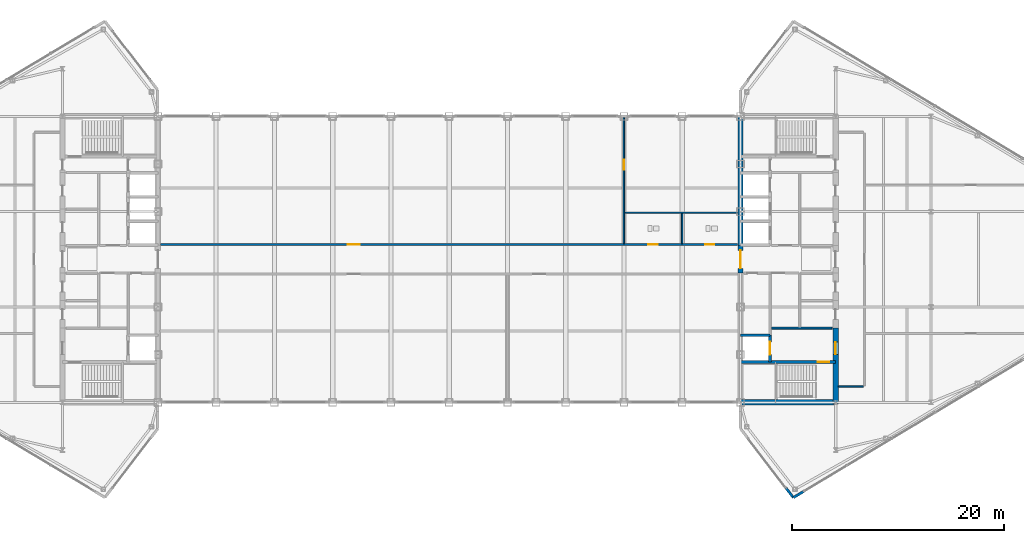
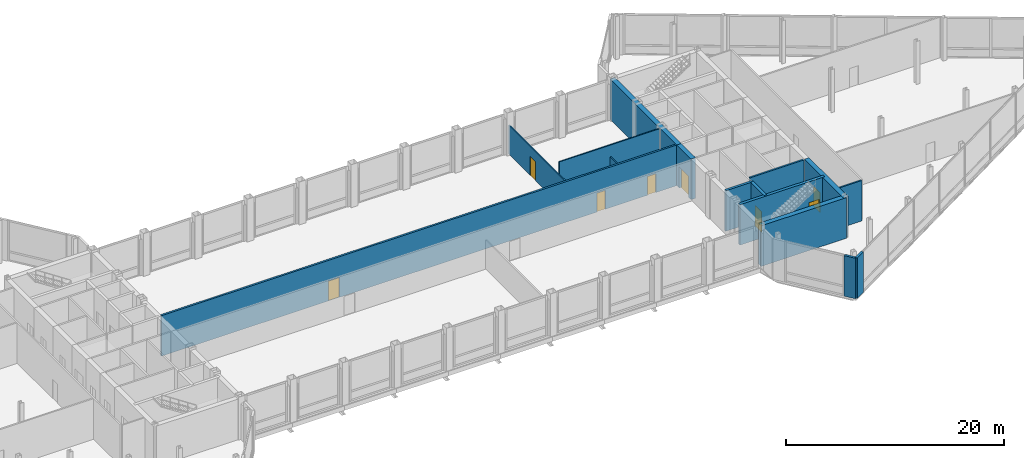
# One storey, part 24 of 29: 15 walls, 8 doors, 8 openings.
"""IFC4 building model written with IfcOpenShell, lengths in metres."""

from ifc_helpers import new_model, si_unit, direction, frame, frame_2d, origin, place, context, subcontext, project, spatial, rectangle, extrude, source, transform, mapped, material, layer, layer_set, type_object, type_shapes, element, fill, save


model = new_model("IFC4")

# Units and contexts
model_context = context("Model", 3, precision=1e-05, world=origin(), true_north=direction((0.0, 1.0)))
body_context = subcontext(model_context, "Body", "Model", "MODEL_VIEW")
ifc_project = project(units=[si_unit("LENGTHUNIT", "METRE"), si_unit("AREAUNIT", "SQUARE_METRE"), si_unit("VOLUMEUNIT", "CUBIC_METRE"), si_unit("PLANEANGLEUNIT", "RADIAN"), si_unit("MASSUNIT", "GRAM", prefix="KILO")], contexts=[model_context])

# Site, building, storey
site_placement = place(None, origin())
site = spatial("IfcSite", under=ifc_project, at=site_placement, CompositionType="ELEMENT")
building_placement = place(site_placement, origin())
building = spatial("IfcBuilding", under=site, at=building_placement, Name="Seokmaru Belvedere", CompositionType="ELEMENT")
storey_placement = place(building_placement, frame((0.0, 0.0, 269.39990234375)))
storey = spatial("IfcBuildingStorey", under=building, at=storey_placement, Name="L71", CompositionType="ELEMENT", Elevation=269.39990234375)

# Walls
ifc_material_1 = material(Name="Fire-Rated Gypsum Shaftwall")
ifc_layer_1 = layer(ifc_material_1, 0.14990234375)
ifc_layer_set_1 = layer_set([ifc_layer_1], Name="Fire-Rated Gypsum Shaftwall")
wall_type_1 = type_object("IfcWallType", Name="Apartment Fire-Acoustic Room Partition 150", PredefinedType="PARTITIONING", material=ifc_layer_set_1)
wall_1_placement = place(storey_placement, frame((36.7548828125, -12.0, 0.0), z_axis=(0.0, 0.0, 1.0), x_axis=(1.0, 0.0, 0.0)))
element("IfcWall", 1, at=wall_1_placement, inside=storey, type_object=wall_type_1, Name="L71 Interior Partition 002", PredefinedType="PARTITIONING", context=body_context, shape_type="SweptSolid", body=[
    extrude(rectangle(XDim=2.360107421875, YDim=0.14990234375, at=frame_2d((1.18017578125, 0.0))), origin(), (0.0, 0.0, 1.0), 4.5400390625),
])
ifc_layer_2 = layer(ifc_material_1, 0.179931640625)
ifc_layer_set_2 = layer_set([ifc_layer_2], Name="Fire-Rated Gypsum Shaftwall")
wall_type_2 = type_object("IfcWallType", Name="Core Service Fire Partition 180", PredefinedType="PARTITIONING", material=ifc_layer_set_2)
wall_2_placement = place(storey_placement, frame((30.449951171875, -6.5, 0.0), z_axis=(0.0, 0.0, 1.0), x_axis=(1.0, 0.0, 0.0)))
element("IfcWall", 2, at=wall_2_placement, inside=storey, type_object=wall_type_2, Name="L71 East Firefighting Lobby Partition", PredefinedType="PARTITIONING", context=body_context, shape_type="SweptSolid", body=[
    extrude(rectangle(XDim=5.699951171875, YDim=0.179931640625, at=frame_2d((2.85009765625, 0.0))), origin(), (0.0, 0.0, 1.0), 4.5400390625),
])
ifc_material_2 = material(Name="Concrete C50 (50 MPa)", Category="concrete")
ifc_layer_3 = layer(ifc_material_2, 0.25)
ifc_layer_set_3 = layer_set([ifc_layer_3], Name="Concrete C50 (50 MPa)")
wall_type_3 = type_object("IfcWallType", Name="Hoistway Transverse Concrete Divider Wall 250", PredefinedType="SHEAR", material=ifc_layer_set_3)
wall_3_placement = place(storey_placement, frame((27.5, -7.14990234375, 0.0), z_axis=(0.0, 0.0, 1.0), x_axis=(1.0, 0.0, 0.0)))
element("IfcWall", 3, at=wall_3_placement, inside=storey, type_object=wall_type_3, Name="L71 East Hoistway Divider Core Wall 1", PredefinedType="SHEAR", context=body_context, shape_type="SweptSolid", body=[
    extrude(rectangle(XDim=2.800048828125, YDim=0.25, at=frame_2d((1.39990234375, 0.0))), origin(), (0.0, 0.0, 1.0), 4.5400390625),
])

# Wall, openings, doors
ifc_layer_4 = layer(ifc_material_1, 0.199951171875)
ifc_layer_set_4 = layer_set([ifc_layer_4], Name="Fire-Rated Gypsum Shaftwall")
wall_type_4 = type_object("IfcWallType", Name="Inter-Tenancy Fire Compartment Partition 200", PredefinedType="PARTITIONING", material=ifc_layer_set_4)
wall_4_placement = place(storey_placement, frame((-27.2451171875, 1.39990234375, 0.0), z_axis=(0.0, 0.0, 1.0), x_axis=(1.0, 0.0, 0.0)))
wall_4 = element("IfcWall", 4, at=wall_4_placement, inside=storey, type_object=wall_type_4, Name="L71 Interior Partition 006", PredefinedType="PARTITIONING", context=body_context, shape_type="SweptSolid", body=[
    extrude(rectangle(XDim=54.490234375, YDim=0.199951171875, at=frame_2d((27.2451171875, 0.0))), origin(), (0.0, 0.0, 1.0), 4.5400390625),
])
opening_1_placement = place(wall_4_placement, frame((17.669921875, 0.0, 0.0)))
opening_1 = element("IfcOpeningElement", 5, at=opening_1_placement, cuts=wall_4, Name="Opening D02", PredefinedType="OPENING", context=body_context, shape_type="SweptSolid", body=[
    extrude(rectangle(XDim=1.14990234375, YDim=2.199951171875, at=frame_2d((0.574951171875, 1.10009765625))), frame((0.0, 0.10986328125, 0.0), z_axis=(0.0, -1.0, 0.0), x_axis=(1.0, 0.0, 0.0)), (0.0, 0.0, 1.0), 0.219970703125),
])
opening_2_placement = place(wall_4_placement, frame((46.054931640625, 0.0, 0.0)))
opening_2 = element("IfcOpeningElement", 6, at=opening_2_placement, cuts=wall_4, Name="Opening D06", PredefinedType="OPENING", context=body_context, shape_type="SweptSolid", body=[
    extrude(rectangle(XDim=0.8798828125, YDim=2.10009765625, at=frame_2d((0.43994140625, 1.050048828125))), frame((0.0, 0.10986328125, 0.0), z_axis=(0.0, -1.0, 0.0), x_axis=(1.0, 0.0, 0.0)), (0.0, 0.0, 1.0), 0.219970703125),
])
opening_3_placement = place(wall_4_placement, frame((51.405029296875, 0.0, 0.0)))
opening_3 = element("IfcOpeningElement", 7, at=opening_3_placement, cuts=wall_4, Name="Opening D06", PredefinedType="OPENING", context=body_context, shape_type="SweptSolid", body=[
    extrude(rectangle(XDim=0.8798828125, YDim=2.10009765625, at=frame_2d((0.43994140625, 1.050048828125))), frame((0.0, 0.10986328125, 0.0), z_axis=(0.0, -1.0, 0.0), x_axis=(1.0, 0.0, 0.0)), (0.0, 0.0, 1.0), 0.219970703125),
])
ifc_material_3 = material(Name="Fire-Rated Steel Leaf", Category="steel")
door_type_1 = type_object("IfcDoorType", Name="Lobby and Vestibule Fire Door 1150x2200", OperationType="NOTDEFINED", PredefinedType="DOOR", material=ifc_material_3)
shared_shape_1 = source(origin(), body_context, "Body", "SweptSolid", [
    extrude(rectangle(XDim=1.14990234375, YDim=2.199951171875, at=frame_2d((0.574951171875, 1.10009765625))), frame((0.0, 0.02490234375, 0.0), z_axis=(0.0, -1.0, 0.0), x_axis=(1.0, 0.0, 0.0)), (0.0, 0.0, 1.0), 0.050048828125),
])
type_shapes(door_type_1, [shared_shape_1])
door_1_placement = place(opening_1_placement, origin())
door_1 = element("IfcDoor", 8, at=door_1_placement, inside=storey, type_object=door_type_1, Name="L71 Interior Door 009", OperationType="SINGLE_SWING_LEFT", OverallHeight=2.199951171875, OverallWidth=1.14990234375, PredefinedType="DOOR", context=body_context, shape_type="MappedRepresentation", body=[
    mapped(shared_shape_1, transform((0.0, 0.0, 0.0), scale=1.0)),
])
fill(opening_1, door_1)
ifc_material_4 = material(Name="Engineered White Oak Timber", Category="wood")
door_type_2 = type_object("IfcDoorType", Name="Bathroom and Restroom Fire-Rated Door 880x2100", OperationType="NOTDEFINED", PredefinedType="DOOR", material=ifc_material_4)
shared_shape_2 = source(origin(), body_context, "Body", "SweptSolid", [
    extrude(rectangle(XDim=0.8798828125, YDim=2.10009765625, at=frame_2d((0.43994140625, 1.050048828125))), frame((0.0, 0.02490234375, 0.0), z_axis=(0.0, -1.0, 0.0), x_axis=(1.0, 0.0, 0.0)), (0.0, 0.0, 1.0), 0.050048828125),
])
type_shapes(door_type_2, [shared_shape_2])
door_2_placement = place(opening_2_placement, origin())
door_2 = element("IfcDoor", 9, at=door_2_placement, inside=storey, type_object=door_type_2, Name="L71 Interior Door 010", OperationType="SINGLE_SWING_LEFT", OverallHeight=2.10009765625, OverallWidth=0.8798828125, PredefinedType="DOOR", context=body_context, shape_type="MappedRepresentation", body=[
    mapped(shared_shape_2, transform((0.0, 0.0, 0.0), scale=1.0)),
])
fill(opening_2, door_2)
door_3_placement = place(opening_3_placement, origin())
door_3 = element("IfcDoor", 10, at=door_3_placement, inside=storey, type_object=door_type_2, Name="L71 Interior Door 011", OperationType="SINGLE_SWING_RIGHT", OverallHeight=2.10009765625, OverallWidth=0.8798828125, PredefinedType="DOOR", context=body_context, shape_type="MappedRepresentation", body=[
    mapped(shared_shape_2, transform((0.0, 0.0, 0.0), scale=1.0)),
])
fill(opening_3, door_3)

# Wall, opening, door
ifc_layer_5 = layer(ifc_material_2, 0.300048828125)
ifc_layer_set_5 = layer_set([ifc_layer_5], Name="Concrete C50 (50 MPa)")
wall_type_5 = type_object("IfcWallType", Name="Internal Core Stair and Hoistway Wall 300", PredefinedType="SHEAR", material=ifc_layer_set_5)
wall_5_placement = place(storey_placement, frame((27.5, -9.699951171875, 0.0), z_axis=(0.0, 0.0, 1.0), x_axis=(1.0, 0.0, 0.0)))
wall_5 = element("IfcWall", 11, at=wall_5_placement, inside=storey, type_object=wall_type_5, Name="L71 East Stair ST-1 Enclosure Wall", PredefinedType="SHEAR", context=body_context, shape_type="SweptSolid", body=[
    extrude(rectangle(XDim=9.0, YDim=0.300048828125, at=frame_2d((4.5, 0.0))), origin(), (0.0, 0.0, 1.0), 4.5400390625),
])
opening_4_placement = place(wall_5_placement, frame((7.300048828125, 0.0, 0.0)))
opening_4 = element("IfcOpeningElement", 12, at=opening_4_placement, cuts=wall_5, Name="Opening D01", PredefinedType="OPENING", context=body_context, shape_type="SweptSolid", body=[
    extrude(rectangle(XDim=1.10009765625, YDim=2.199951171875, at=frame_2d((0.550048828125, 1.10009765625))), frame((0.0, 0.16015625, 0.0), z_axis=(0.0, -1.0, 0.0), x_axis=(1.0, 0.0, 0.0)), (0.0, 0.0, 1.0), 0.320068359375),
])
door_type_3 = type_object("IfcDoorType", Name="Special Escape Stair Smokeproof Fire Door 1100x2200", OperationType="NOTDEFINED", PredefinedType="DOOR", material=ifc_material_3)
shared_shape_3 = source(origin(), body_context, "Body", "SweptSolid", [
    extrude(rectangle(XDim=1.10009765625, YDim=2.199951171875, at=frame_2d((0.550048828125, 1.10009765625))), frame((0.0, 0.02490234375, 0.0), z_axis=(0.0, -1.0, 0.0), x_axis=(1.0, 0.0, 0.0)), (0.0, 0.0, 1.0), 0.050048828125),
])
type_shapes(door_type_3, [shared_shape_3])
door_4_placement = place(opening_4_placement, frame((1.10009765625, 0.0, 0.0), z_axis=(0.0, 0.0, 1.0), x_axis=(-1.0, 0.0, 0.0)))
door_4 = element("IfcDoor", 13, at=door_4_placement, inside=storey, type_object=door_type_3, Name="L71 East Special Escape Stair ST-1 Door", OperationType="SINGLE_SWING_RIGHT", OverallHeight=2.199951171875, OverallWidth=1.10009765625, PredefinedType="DOOR", context=body_context, shape_type="MappedRepresentation", body=[
    mapped(shared_shape_3, transform((0.0, 0.0, 0.0), scale=1.0)),
])
fill(opening_4, door_4)

wall_6_placement = place(storey_placement, frame((30.300048828125, -9.679931640625, 0.0), z_axis=(0.0, 0.0, 1.0), x_axis=(0.0, 1.0, 0.0)))
wall_6 = element("IfcWall", 14, at=wall_6_placement, inside=storey, type_object=wall_type_5, Name="L71 East Firefighting Lift Shaft Front Wall", PredefinedType="SHEAR", context=body_context, shape_type="SweptSolid", body=[
    extrude(rectangle(XDim=2.559814453125, YDim=0.300048828125, at=frame_2d((1.27978515625, 0.0))), origin(), (0.0, 0.0, 1.0), 4.5400390625),
])
opening_5_placement = place(wall_6_placement, frame((0.679931640625, 0.0, 0.0)))
opening_5 = element("IfcOpeningElement", 15, at=opening_5_placement, cuts=wall_6, Name="Opening LD2", PredefinedType="OPENING", context=body_context, shape_type="SweptSolid", body=[
    extrude(rectangle(XDim=1.199951171875, YDim=2.25, at=frame_2d((0.60009765625, 1.125))), frame((0.0, 0.16015625, 0.0), z_axis=(0.0, -1.0, 0.0), x_axis=(1.0, 0.0, 0.0)), (0.0, 0.0, 1.0), 0.320068359375),
])
ifc_material_5 = material(Name="Stainless Steel 316", Category="steel")
door_type_4 = type_object("IfcDoorType", Name="Firefighting Lift Sliding Landing Door 1200x2250", OperationType="DOUBLE_DOOR_SLIDING", PredefinedType="DOOR", material=ifc_material_5)
shared_shape_4 = source(origin(), body_context, "Body", "SweptSolid", [
    extrude(rectangle(XDim=1.199951171875, YDim=2.25, at=frame_2d((0.60009765625, 1.125))), frame((0.0, 0.02490234375, 0.0), z_axis=(0.0, -1.0, 0.0), x_axis=(1.0, 0.0, 0.0)), (0.0, 0.0, 1.0), 0.050048828125),
])
type_shapes(door_type_4, [shared_shape_4])
door_5_placement = place(opening_5_placement, origin())
door_5 = element("IfcDoor", 16, at=door_5_placement, inside=storey, type_object=door_type_4, Name="L71 East Firefighting Lift Landing Door", OperationType="DOUBLE_DOOR_SLIDING", OverallHeight=2.25, OverallWidth=1.199951171875, PredefinedType="DOOR", context=body_context, shape_type="MappedRepresentation", body=[
    mapped(shared_shape_4, transform((0.0, 0.0, 0.0), scale=1.0)),
])
fill(opening_5, door_5)

# Wall
ifc_layer_6 = layer(ifc_material_1, 0.1298828125)
ifc_layer_set_6 = layer_set([ifc_layer_6], Name="Fire-Rated Gypsum Shaftwall")
wall_type_6 = type_object("IfcWallType", Name="Moisture-Resistant Fire-Rated Bathroom Partition 130", PredefinedType="PARTITIONING", material=ifc_layer_set_6)
wall_7_placement = place(storey_placement, frame((16.5849609375, 4.39990234375, 0.0), z_axis=(0.0, 0.0, 1.0), x_axis=(1.0, 0.0, 0.0)))
element("IfcWall", 17, at=wall_7_placement, inside=storey, type_object=wall_type_6, Name="L71 Interior Partition 007", PredefinedType="PARTITIONING", context=body_context, shape_type="SweptSolid", body=[
    extrude(rectangle(XDim=10.66015625, YDim=0.1298828125, at=frame_2d((5.330078125, 0.0))), origin(), (0.0, 0.0, 1.0), 4.5400390625),
])

# Wall, opening, door
wall_8_placement = place(storey_placement, frame((16.5, 1.485107421875, 0.0), z_axis=(0.0, 0.0, 1.0), x_axis=(0.0, 1.0, 0.0)))
wall_8 = element("IfcWall", 18, at=wall_8_placement, inside=storey, type_object=wall_type_6, Name="L71 Interior Partition 014", PredefinedType="PARTITIONING", context=body_context, shape_type="SweptSolid", body=[
    extrude(rectangle(XDim=11.90478515625, YDim=0.1298828125, at=frame_2d((5.952392578125, 0.0))), origin(), (0.0, 0.0, 1.0), 3.239990234375),
])
opening_6_placement = place(wall_8_placement, frame((6.989990234375, 0.0, 0.0)))
opening_6 = element("IfcOpeningElement", 19, at=opening_6_placement, cuts=wall_8, Name="Opening D05", PredefinedType="OPENING", context=body_context, shape_type="SweptSolid", body=[
    extrude(rectangle(XDim=0.949951171875, YDim=2.14990234375, at=frame_2d((0.47509765625, 1.074951171875))), frame((0.0, 0.074951171875, 0.0), z_axis=(0.0, -1.0, 0.0), x_axis=(1.0, 0.0, 0.0)), (0.0, 0.0, 1.0), 0.14990234375),
])
door_type_5 = type_object("IfcDoorType", Name="Apartment Interior Fire-Rated Oak Door 950x2150", OperationType="NOTDEFINED", PredefinedType="DOOR", material=ifc_material_4)
shared_shape_5 = source(origin(), body_context, "Body", "SweptSolid", [
    extrude(rectangle(XDim=0.949951171875, YDim=2.14990234375, at=frame_2d((0.47509765625, 1.074951171875))), frame((0.0, 0.02490234375, 0.0), z_axis=(0.0, -1.0, 0.0), x_axis=(1.0, 0.0, 0.0)), (0.0, 0.0, 1.0), 0.050048828125),
])
type_shapes(door_type_5, [shared_shape_5])
door_6_placement = place(opening_6_placement, origin())
door_6 = element("IfcDoor", 20, at=door_6_placement, inside=storey, type_object=door_type_5, Name="L71 Interior Door 012", OperationType="SINGLE_SWING_LEFT", OverallHeight=2.14990234375, OverallWidth=0.949951171875, PredefinedType="DOOR", context=body_context, shape_type="MappedRepresentation", body=[
    mapped(shared_shape_5, transform((0.0, 0.0, 0.0), scale=1.0)),
])
fill(opening_6, door_6)

# Walls
wall_9_placement = place(storey_placement, frame((22.0, 1.485107421875, 0.0), z_axis=(0.0, 0.0, 1.0), x_axis=(0.0, 1.0, 0.0)))
element("IfcWall", 21, at=wall_9_placement, inside=storey, type_object=wall_type_6, Name="L71 Interior Partition 015", PredefinedType="PARTITIONING", context=body_context, shape_type="SweptSolid", body=[
    extrude(rectangle(XDim=2.829833984375, YDim=0.1298828125, at=frame_2d((1.4150390625, 0.0))), origin(), (0.0, 0.0, 1.0), 3.239990234375),
])
ifc_material_6 = material(Name="Anodised Bronze Aluminium", Category="aluminium")
ifc_layer_7 = layer(ifc_material_6, 0.239990234375)
ifc_layer_set_7 = layer_set([ifc_layer_7], Name="Anodised Bronze Aluminium")
wall_type_7 = type_object("IfcWallType", Name="Tower Corner Spandrel Closure Wall 240", PredefinedType="SOLIDWALL", material=ifc_layer_set_7)
for number, where, z_axis, x_axis, name in (
    (22, (32.508544921875, -22.494873046875, 0.0), (0.0, 0.0, 1.0), (0.85743623509, 0.514590228002, 0.0), "L71 E Corner Closure Pier 1A"),
    (23, (31.798828125, -21.58837890625, 0.0), (0.0, 0.0, 1.0), (0.609617623633, -0.792695624408, 0.0), "L71 E Corner Closure Pier 6B"),
):
    element("IfcWall", number, at=place(storey_placement, frame(where, z_axis=z_axis, x_axis=x_axis)), inside=storey, type_object=wall_type_7, Name=name, PredefinedType="SOLIDWALL", context=body_context, shape_type="SweptSolid", body=[
        extrude(rectangle(XDim=1.14013671875, YDim=0.239990234375, at=frame_2d((0.570068359375, 0.0))), origin(), (0.0, 0.0, 1.0), 4.5400390625),
    ])
ifc_layer_8 = layer(ifc_material_2, 0.5)
ifc_layer_set_8 = layer_set([ifc_layer_8], Name="Concrete C50 (50 MPa)")
wall_type_8 = type_object("IfcWallType", Name="Upper Tower Reinforced Concrete Core Wall 500", PredefinedType="SHEAR", material=ifc_layer_set_8)
wall_10_placement = place(storey_placement, frame((27.5, 1.300048828125, 0.0), z_axis=(0.0, 0.0, 1.0), x_axis=(0.0, 1.0, 0.0)))
element("IfcWall", 24, at=wall_10_placement, inside=storey, type_object=wall_type_8, Name="L71 East Portal Spine Core Wall North", PredefinedType="SHEAR", context=body_context, shape_type="SweptSolid", body=[
    extrude(rectangle(XDim=12.199951171875, YDim=0.5, at=frame_2d((6.10009765625, 0.0))), origin(), (0.0, 0.0, 1.0), 4.5400390625),
])

# Wall, opening, door
wall_11_placement = place(storey_placement, frame((27.5, -1.300048828125, 0.0), z_axis=(0.0, 0.0, 1.0), x_axis=(0.0, 1.0, 0.0)))
wall_11 = element("IfcWall", 25, at=wall_11_placement, inside=storey, type_object=wall_type_8, Name="L71 East Portal Spine Core Wall Center", PredefinedType="SHEAR", context=body_context, shape_type="SweptSolid", body=[
    extrude(rectangle(XDim=2.60009765625, YDim=0.5, at=frame_2d((1.300048828125, 0.0))), origin(), (0.0, 0.0, 1.0), 4.5400390625),
])
opening_7_placement = place(wall_11_placement, frame((0.449951171875, 0.0, 0.0)))
opening_7 = element("IfcOpeningElement", 26, at=opening_7_placement, cuts=wall_11, Name="Opening D09", PredefinedType="OPENING", context=body_context, shape_type="SweptSolid", body=[
    extrude(rectangle(XDim=1.699951171875, YDim=2.35009765625, at=frame_2d((0.85009765625, 1.175048828125))), frame((0.0, 0.260009765625, 0.0), z_axis=(0.0, -1.0, 0.0), x_axis=(1.0, 0.0, 0.0)), (0.0, 0.0, 1.0), 0.52001953125),
])
door_type_6 = type_object("IfcDoorType", Name="Sky-Gate Bridge Inter-Tower Fire Door 1700x2350", OperationType="DOUBLE_SWING_LEFT", PredefinedType="DOOR", material=ifc_material_3)
shared_shape_6 = source(origin(), body_context, "Body", "SweptSolid", [
    extrude(rectangle(XDim=1.699951171875, YDim=2.35009765625, at=frame_2d((0.85009765625, 1.175048828125))), frame((0.0, 0.02490234375, 0.0), z_axis=(0.0, -1.0, 0.0), x_axis=(1.0, 0.0, 0.0)), (0.0, 0.0, 1.0), 0.050048828125),
])
type_shapes(door_type_6, [shared_shape_6])
door_7_placement = place(opening_7_placement, origin())
door_7 = element("IfcDoor", 27, at=door_7_placement, inside=storey, type_object=door_type_6, Name="L71 East Inter-Tower Fire Door", OperationType="DOUBLE_SWING_LEFT", OverallHeight=2.35009765625, OverallWidth=1.699951171875, PredefinedType="DOOR", context=body_context, shape_type="MappedRepresentation", body=[
    mapped(shared_shape_6, transform((0.0, 0.0, 0.0), scale=1.0)),
])
fill(opening_7, door_7)

# Wall
wall_12_placement = place(storey_placement, frame((27.5, -13.5, 0.0), z_axis=(0.0, 0.0, 1.0), x_axis=(1.0, 0.0, 0.0)))
element("IfcWall", 28, at=wall_12_placement, inside=storey, type_object=wall_type_8, Name="L71 East South Core Wall", PredefinedType="SHEAR", context=body_context, shape_type="SweptSolid", body=[
    extrude(rectangle(XDim=9.0, YDim=0.5, at=frame_2d((4.5, 0.0))), origin(), (0.0, 0.0, 1.0), 4.5400390625),
])

# Wall, opening, door
wall_13_placement = place(storey_placement, frame((36.5, -13.64990234375, 0.0), z_axis=(0.0, 0.0, 1.0), x_axis=(0.0, 1.0, 0.0)))
wall_13 = element("IfcWall", 29, at=wall_13_placement, inside=storey, type_object=wall_type_8, Name="L71 East West Core Wall FF", PredefinedType="SHEAR", context=body_context, shape_type="SweptSolid", body=[
    extrude(rectangle(XDim=7.14990234375, YDim=0.5, at=frame_2d((3.574951171875, 0.0))), origin(), (0.0, 0.0, 1.0), 4.5400390625),
])
opening_8_placement = place(wall_13_placement, frame((4.675048828125, 0.0, 0.0)))
opening_8 = element("IfcOpeningElement", 30, at=opening_8_placement, cuts=wall_13, Name="Opening D02", PredefinedType="OPENING", context=body_context, shape_type="SweptSolid", body=[
    extrude(rectangle(XDim=1.14990234375, YDim=2.199951171875, at=frame_2d((0.574951171875, 1.10009765625))), frame((0.0, 0.260009765625, 0.0), z_axis=(0.0, -1.0, 0.0), x_axis=(1.0, 0.0, 0.0)), (0.0, 0.0, 1.0), 0.52001953125),
])
door_8_placement = place(opening_8_placement, origin())
door_8 = element("IfcDoor", 31, at=door_8_placement, inside=storey, type_object=door_type_1, Name="L71 East Firefighting Lobby Door", OperationType="SINGLE_SWING_RIGHT", OverallHeight=2.199951171875, OverallWidth=1.14990234375, PredefinedType="DOOR", context=body_context, shape_type="MappedRepresentation", body=[
    mapped(shared_shape_1, transform((0.0, 0.0, 0.0), scale=1.0)),
])
fill(opening_8, door_8)

save(model, "model.ifc")
